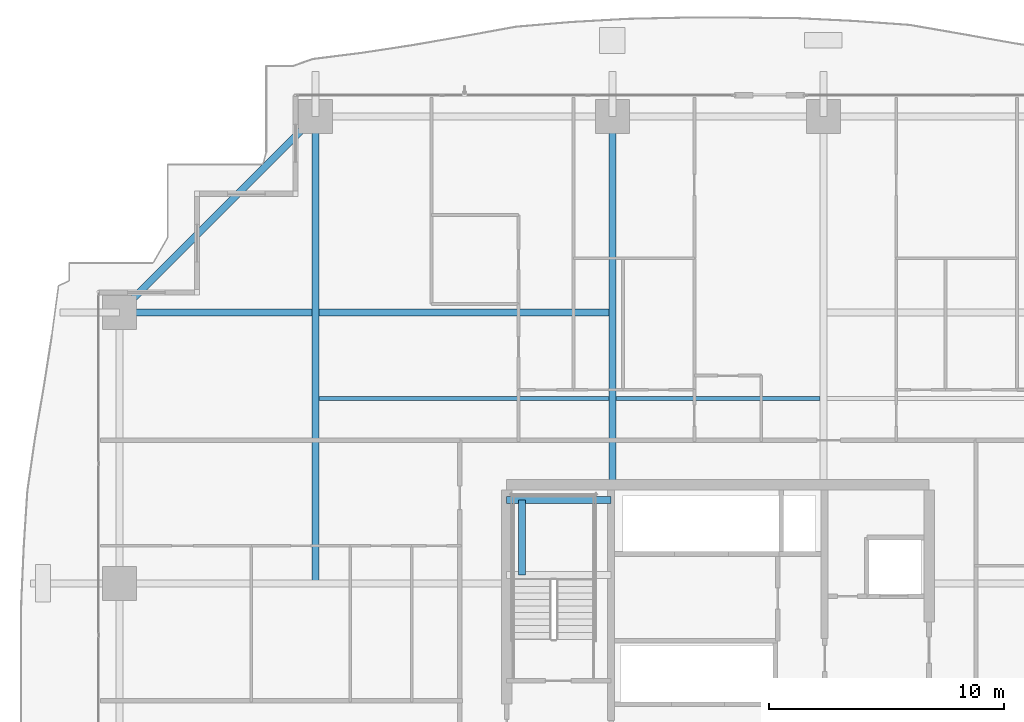
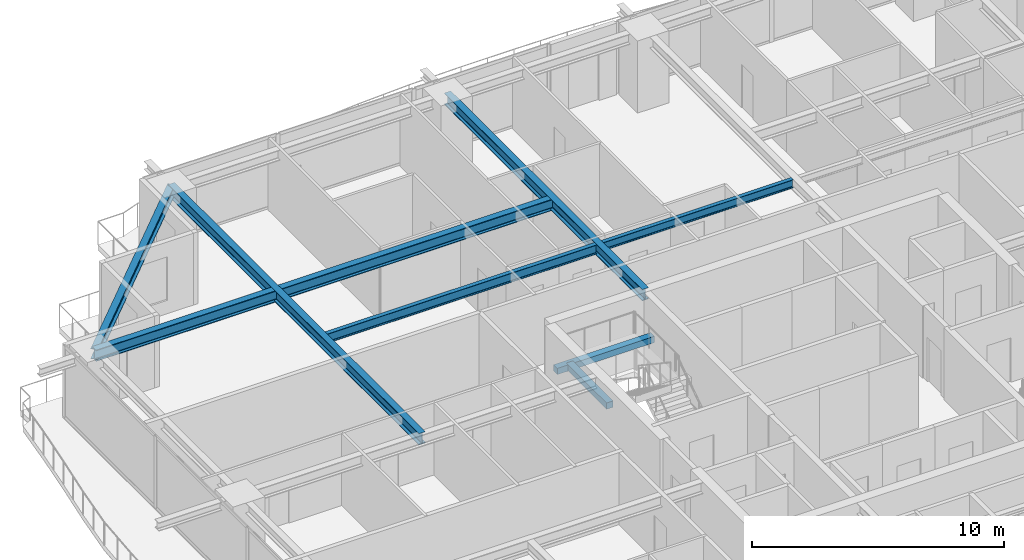
# One storey, part 16 of 36: 8 beams.
"""IFC4 building model written with IfcOpenShell, lengths in metres."""

from ifc_helpers import new_model, si_unit, direction, frame, origin, origin_2d, place, context, subcontext, project, spatial, rectangle, i_section, extrude, source, transform, mapped, material, material_profile, profile_set, type_object, element, save


model = new_model("IFC4")

# Units and contexts
model_context = context("Model", 3, precision=1e-05, world=origin(), true_north=direction((0.0, 1.0)))
body_context = subcontext(model_context, "Body", "Model", "MODEL_VIEW")
ifc_project = project(units=[si_unit("LENGTHUNIT", "METRE"), si_unit("AREAUNIT", "SQUARE_METRE"), si_unit("VOLUMEUNIT", "CUBIC_METRE"), si_unit("PLANEANGLEUNIT", "RADIAN"), si_unit("MASSUNIT", "GRAM", prefix="KILO")], contexts=[model_context])

# Site, building, storey
site_placement = place(None, origin())
site = spatial("IfcSite", under=ifc_project, at=site_placement, CompositionType="ELEMENT")
building_placement = place(site_placement, origin())
building = spatial("IfcBuilding", under=site, at=building_placement, Name="Serunith Strait Residences", CompositionType="ELEMENT")
storey_placement = place(building_placement, frame((0.0, 0.0, 86.699951171875)))
storey = spatial("IfcBuildingStorey", under=building, at=storey_placement, Name="L21", CompositionType="ELEMENT", Elevation=86.699951171875)

# Beams
ifc_material_1 = material(Name="Steel S355J2", Category="steel")
ifc_material_profile_1 = material_profile(ifc_material_1, i_section(OverallWidth=0.300048828125, OverallDepth=0.550048828125, WebThickness=0.014892578125, FlangeThickness=0.029052734375, FilletRadius=0.027099609375, at=origin_2d()), Name="HEB 550")
ifc_profile_set_1 = profile_set([ifc_material_profile_1], Name="Steel S355J2")
beam_type_1 = type_object("IfcBeamType", Name="BM-HEB550", PredefinedType="BEAM", material=ifc_profile_set_1)
shared_shape_1 = source(origin(), body_context, "Body", "SweptSolid", [
    extrude(i_section(OverallWidth=0.300048828125, OverallDepth=0.550048828125, WebThickness=0.014892578125, FlangeThickness=0.029052734375, FilletRadius=0.027099609375, at=origin_2d()), origin(), (0.0, 0.0, 1.0), 15.699951171875),
])
beam_1_placement = place(storey_placement, frame((27.89990234375, 33.60009765625, 3.212158203125), z_axis=(0.0, 1.0, 0.0), x_axis=(-1.0, 0.0, 0.0)))
element("IfcBeam", 1, at=beam_1_placement, inside=storey, type_object=beam_type_1, Name="L21 Primary Floor Girder TC-N2", PredefinedType="BEAM", context=body_context, shape_type="MappedRepresentation", body=[
    mapped(shared_shape_1, transform((0.0, 0.0, 0.0), scale=1.0)),
])
shared_shape_2 = source(origin(), body_context, "Body", "SweptSolid", [
    extrude(i_section(OverallWidth=0.300048828125, OverallDepth=0.550048828125, WebThickness=0.014892578125, FlangeThickness=0.029052734375, FilletRadius=0.027099609375, at=origin_2d()), origin(), (0.0, 0.0, 1.0), 19.900146484375),
])
beam_2_placement = place(storey_placement, frame((15.25, 29.39990234375, 3.212158203125), z_axis=(0.0, 1.0, 0.0), x_axis=(-1.0, 0.0, 0.0)))
element("IfcBeam", 2, at=beam_2_placement, inside=storey, type_object=beam_type_1, Name="L21 Orthogonal Corner Girder TC-N1", PredefinedType="BEAM", context=body_context, shape_type="MappedRepresentation", body=[
    mapped(shared_shape_2, transform((0.0, 0.0, 0.0), scale=1.0)),
])
shared_shape_3 = source(origin(), body_context, "Body", "SweptSolid", [
    extrude(i_section(OverallWidth=0.300048828125, OverallDepth=0.550048828125, WebThickness=0.014892578125, FlangeThickness=0.029052734375, FilletRadius=0.027099609375, at=origin_2d()), origin(), (0.0, 0.0, 1.0), 21.0),
])
beam_3_placement = place(storey_placement, frame((27.89990234375, 40.949951171875, 3.212158203125), z_axis=(-1.0, 0.0, 0.0), x_axis=(0.0, -1.0, 0.0)))
element("IfcBeam", 3, at=beam_3_placement, inside=storey, type_object=beam_type_1, Name="L21 Orthogonal Corner Girder TC-W4", PredefinedType="BEAM", context=body_context, shape_type="MappedRepresentation", body=[
    mapped(shared_shape_3, transform((0.0, 0.0, 0.0), scale=1.0)),
])
ifc_material_profile_2 = material_profile(ifc_material_1, i_section(OverallWidth=0.300048828125, OverallDepth=0.5, WebThickness=0.014404296875, FlangeThickness=0.028076171875, FilletRadius=0.027099609375, at=origin_2d()), Name="HEB 500")
ifc_profile_set_2 = profile_set([ifc_material_profile_2], Name="Steel S355J2")
beam_type_2 = type_object("IfcBeamType", Name="BM-HEB500", PredefinedType="BEAM", material=ifc_profile_set_2)
shared_shape_4 = source(origin(), body_context, "Body", "SweptSolid", [
    extrude(i_section(OverallWidth=0.300048828125, OverallDepth=0.5, WebThickness=0.014404296875, FlangeThickness=0.028076171875, FilletRadius=0.027099609375, at=origin_2d()), origin(), (0.0, 0.0, 1.0), 11.808837890625),
])
beam_4_placement = place(storey_placement, frame((15.25, 49.300048828125, 3.20703125), z_axis=(-0.707106781187, -0.707106781187, 0.0), x_axis=(0.707106781187, -0.707106781187, 0.0)))
element("IfcBeam", 4, at=beam_4_placement, inside=storey, type_object=beam_type_2, Name="L21 Perimeter Ring Beam 12", PredefinedType="BEAM", context=body_context, shape_type="MappedRepresentation", body=[
    mapped(shared_shape_4, transform((0.0, 0.0, 0.0), scale=1.0)),
])
ifc_material_profile_3 = material_profile(ifc_material_1, i_section(OverallWidth=0.18994140625, OverallDepth=0.449951171875, WebThickness=0.009521484375, FlangeThickness=0.0146484375, FilletRadius=0.02099609375, at=origin_2d()), Name="IPE 450")
ifc_profile_set_3 = profile_set([ifc_material_profile_3], Name="Steel S355J2")
beam_type_3 = type_object("IfcBeamType", Name="BM-IPE450", PredefinedType="JOIST", material=ifc_profile_set_3)
shared_shape_5 = source(origin(), body_context, "Body", "SweptSolid", [
    extrude(i_section(OverallWidth=0.18994140625, OverallDepth=0.449951171875, WebThickness=0.009521484375, FlangeThickness=0.0146484375, FilletRadius=0.02099609375, at=origin_2d()), origin(), (0.0, 0.0, 1.0), 12.35009765625),
])
beam_5_placement = place(storey_placement, frame((15.39990234375, 37.27490234375, 3.261962890625), z_axis=(1.0, 0.0, 0.0), x_axis=(0.0, 1.0, 0.0)))
element("IfcBeam", 5, at=beam_5_placement, inside=storey, type_object=beam_type_3, Name="L21 Composite Floor Joist 04", PredefinedType="JOIST", context=body_context, shape_type="MappedRepresentation", body=[
    mapped(shared_shape_5, transform((0.0, 0.0, 0.0), scale=1.0)),
])
ifc_material_profile_4 = material_profile(ifc_material_1, i_section(OverallWidth=0.179931640625, OverallDepth=0.39990234375, WebThickness=0.008544921875, FlangeThickness=0.013427734375, FilletRadius=0.02099609375, at=origin_2d()), Name="IPE 400")
ifc_profile_set_4 = profile_set([ifc_material_profile_4], Name="Steel S355J2")
beam_type_4 = type_object("IfcBeamType", Name="BM-IPE400", PredefinedType="JOIST", material=ifc_profile_set_4)
shared_shape_6 = source(origin(), body_context, "Body", "SweptSolid", [
    extrude(i_section(OverallWidth=0.179931640625, OverallDepth=0.39990234375, WebThickness=0.008544921875, FlangeThickness=0.013427734375, FilletRadius=0.02099609375, at=origin_2d()), origin(), (0.0, 0.0, 1.0), 8.699951171875),
])
beam_6_placement = place(storey_placement, frame((28.050048828125, 37.27490234375, 3.287109375), z_axis=(1.0, 0.0, 0.0), x_axis=(0.0, 1.0, 0.0)))
element("IfcBeam", 6, at=beam_6_placement, inside=storey, type_object=beam_type_4, Name="L21 Composite Floor Joist 05", PredefinedType="JOIST", context=body_context, shape_type="MappedRepresentation", body=[
    mapped(shared_shape_6, transform((0.0, 0.0, 0.0), scale=1.0)),
])
ifc_material_2 = material(Name="Concrete C60/75", Category="concrete")
ifc_material_profile_5 = material_profile(ifc_material_2, rectangle(XDim=0.300048828125, YDim=0.300048828125, at=origin_2d()), Name="RC 300x300")
ifc_profile_set_5 = profile_set([ifc_material_profile_5], Name="Concrete C60/75")
beam_type_5 = type_object("IfcBeamType", Name="BM-LAND-300x300", PredefinedType="BEAM", material=ifc_profile_set_5)
shared_shape_7 = source(origin(), body_context, "Body", "SweptSolid", [
    extrude(rectangle(XDim=0.300048828125, YDim=0.300048828125, at=origin_2d()), origin(), (0.0, 0.0, 1.0), 4.4501953125),
])
beam_7_placement = place(storey_placement, frame((23.39990234375, 32.949951171875, 1.525146484375), z_axis=(1.0, 0.0, 0.0), x_axis=(0.0, 1.0, 0.0)))
element("IfcBeam", 7, at=beam_7_placement, inside=storey, type_object=beam_type_5, Name="L21 ST-1 Landing Support Beam 2", PredefinedType="BEAM", context=body_context, shape_type="MappedRepresentation", body=[
    mapped(shared_shape_7, transform((0.0, 0.0, 0.0), scale=1.0)),
])
shared_shape_8 = source(origin(), body_context, "Body", "SweptSolid", [
    extrude(rectangle(XDim=0.300048828125, YDim=0.300048828125, at=origin_2d()), origin(), (0.0, 0.0, 1.0), 3.199951171875),
])
beam_8_placement = place(storey_placement, frame((24.050048828125, 29.75, 1.525146484375), z_axis=(0.0, 1.0, 0.0), x_axis=(-1.0, 0.0, 0.0)))
element("IfcBeam", 8, at=beam_8_placement, inside=storey, type_object=beam_type_5, Name="L21 ST-1 Landing Transverse Tie Beam", PredefinedType="BEAM", context=body_context, shape_type="MappedRepresentation", body=[
    mapped(shared_shape_8, transform((0.0, 0.0, 0.0), scale=1.0)),
])

save(model, "model.ifc")
